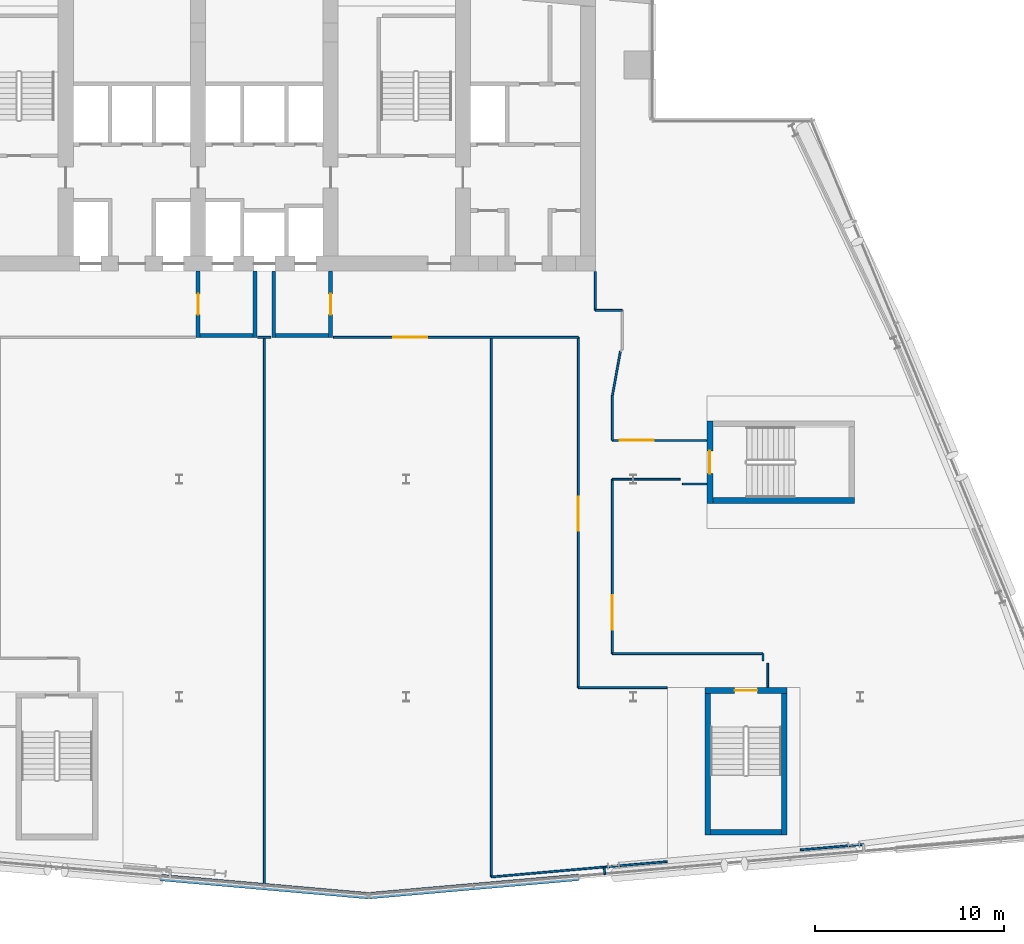
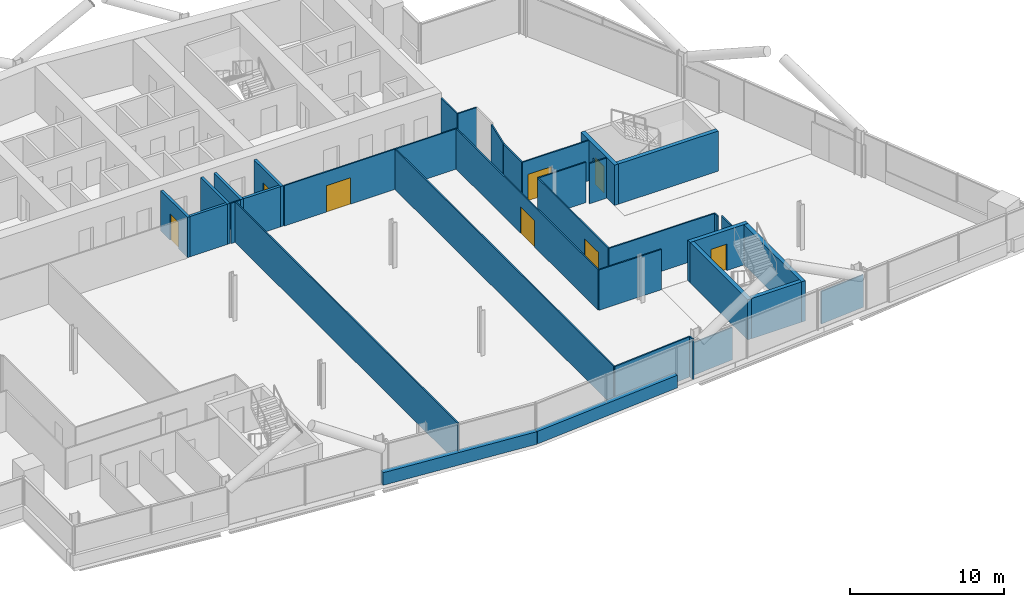
# One storey, part 16 of 26: 35 walls, 8 doors, 8 openings.
"""IFC4 building model written with IfcOpenShell, lengths in metres."""

from ifc_helpers import new_model, si_unit, direction, frame, frame_2d, origin, place, context, subcontext, project, spatial, rectangle, extrude, material, layer, layer_set, type_object, element, fill, save


model = new_model("IFC4")

# Units and contexts
model_context = context("Model", 3, precision=1e-05, world=origin(), true_north=direction((0.0, 1.0)))
body_context = subcontext(model_context, "Body", "Model", "MODEL_VIEW")
ifc_project = project(units=[si_unit("LENGTHUNIT", "METRE"), si_unit("AREAUNIT", "SQUARE_METRE"), si_unit("VOLUMEUNIT", "CUBIC_METRE"), si_unit("PLANEANGLEUNIT", "RADIAN"), si_unit("MASSUNIT", "GRAM", prefix="KILO")], contexts=[model_context])

# Site, building, storey
site_placement = place(None, origin())
site = spatial("IfcSite", under=ifc_project, at=site_placement, CompositionType="ELEMENT")
building_placement = place(site_placement, origin())
building = spatial("IfcBuilding", under=site, at=building_placement, Name="Wharfspan Tower", CompositionType="ELEMENT")
storey_placement = place(building_placement, frame((0.0, 0.0, 184.300049)))
storey = spatial("IfcBuildingStorey", under=building, at=storey_placement, Name="L45", CompositionType="ELEMENT", Elevation=184.300049)

# Walls
ifc_material_1 = material(Name="Gypsum board on steel studs", Category="steel")
ifc_layer_1 = layer(ifc_material_1, 0.100098)
ifc_layer_set_1 = layer_set([ifc_layer_1], Name="Gypsum board on steel studs")
wall_type_1 = type_object("IfcWallType", Name="Compartment wall 100 EI 60", PredefinedType="PARTITIONING", material=ifc_layer_set_1)
wall_1_placement = place(storey_placement, frame((40.5, 1.489258, 0.0), z_axis=(0.0, 0.0, 1.0), x_axis=(0.0, 1.0, 0.0)))
element("IfcWall", 1, at=wall_1_placement, inside=storey, type_object=wall_type_1, Name="Partition L45.w025", PredefinedType="PARTITIONING", context=body_context, shape_type="SweptSolid", body=[
    extrude(rectangle(XDim=29.010742, YDim=0.100098, at=frame_2d((14.505371, 0.0))), origin(), (0.0, 0.0, 1.0), 3.199951),
])
wall_2_placement = place(storey_placement, frame((52.5, 1.97998, 0.0), z_axis=(0.0, 0.0, 1.0), x_axis=(0.0, 1.0, 0.0)))
element("IfcWall", 2, at=wall_2_placement, inside=storey, type_object=wall_type_1, Name="Partition L45.w026", PredefinedType="PARTITIONING", context=body_context, shape_type="SweptSolid", body=[
    extrude(rectangle(XDim=28.52002, YDim=0.100098, at=frame_2d((14.26001, 0.0))), origin(), (0.0, 0.0, 1.0), 3.199951),
])

# Wall, opening, door
wall_3_placement = place(storey_placement, frame((57.100098, 11.985107, 0.0), z_axis=(0.0, 0.0, 1.0), x_axis=(0.0, 1.0, 0.0)))
wall_3 = element("IfcWall", 3, at=wall_3_placement, inside=storey, type_object=wall_type_1, Name="Partition L45.w029", PredefinedType="PARTITIONING", context=body_context, shape_type="SweptSolid", body=[
    extrude(rectangle(XDim=18.514893, YDim=0.100098, at=frame_2d((9.257324, 0.0))), origin(), (0.0, 0.0, 1.0), 3.199951),
])
opening_1_placement = place(wall_3_placement, frame((8.294922, 0.0, 0.0)))
opening_1 = element("IfcOpeningElement", 4, at=opening_1_placement, cuts=wall_3, Name="Opening C4-08", PredefinedType="OPENING", context=body_context, shape_type="SweptSolid", body=[
    extrude(rectangle(XDim=1.800049, YDim=2.100098, at=frame_2d((0.899902, 1.050049))), frame((0.0, 0.060059, 0.0), z_axis=(0.0, -1.0, 0.0), x_axis=(1.0, 0.0, 0.0)), (0.0, 0.0, 1.0), 0.120117),
])
ifc_material_2 = material(Name="Fire-rated timber door leaf in steel frame", Category="steel")
door_type_1 = type_object("IfcDoorType", Name="Door 1800 FD30S Double", OperationType="DOUBLE_DOOR_SINGLE_SWING", PredefinedType="DOOR", material=ifc_material_2)
door_1_placement = place(opening_1_placement, origin())
door_1 = element("IfcDoor", 5, at=door_1_placement, inside=storey, type_object=door_type_1, Name="Door C4-08", OperationType="DOUBLE_DOOR_SINGLE_SWING", OverallHeight=2.100098, OverallWidth=1.800049, PredefinedType="DOOR", context=body_context, shape_type="SweptSolid", body=[
    extrude(rectangle(XDim=1.800049, YDim=2.100098, at=frame_2d((0.899902, 1.050049))), frame((0.0, 0.024902, 0.0), z_axis=(0.0, -1.0, 0.0), x_axis=(1.0, 0.0, 0.0)), (0.0, 0.0, 1.0), 0.050049),
])
fill(opening_1, door_1)

# Walls
wall_4_placement = place(storey_placement, frame((57.100098, 11.985107, 0.0), z_axis=(0.0, 0.0, 1.0), x_axis=(1.0, 0.0, 0.0)))
element("IfcWall", 6, at=wall_4_placement, inside=storey, type_object=wall_type_1, Name="Partition L45.w030", PredefinedType="PARTITIONING", context=body_context, shape_type="SweptSolid", body=[
    extrude(rectangle(XDim=4.691406, YDim=0.100098, at=frame_2d((2.345703, 0.0))), origin(), (0.0, 0.0, 1.0), 3.199951),
])
wall_5_placement = place(storey_placement, frame((58.0, 31.925049, 0.0), z_axis=(0.0, 0.0, 1.0), x_axis=(0.0, 1.0, 0.0)))
element("IfcWall", 7, at=wall_5_placement, inside=storey, type_object=wall_type_1, Name="Partition L45.w031", PredefinedType="PARTITIONING", context=body_context, shape_type="SweptSolid", body=[
    extrude(rectangle(XDim=2.054932, YDim=0.100098, at=frame_2d((1.027344, 0.0))), origin(), (0.0, 0.0, 1.0), 3.199951),
])
wall_6_placement = place(storey_placement, frame((58.0, 31.925049, 0.0), z_axis=(0.0, 0.0, 1.0), x_axis=(1.0, 0.0, 0.0)))
element("IfcWall", 8, at=wall_6_placement, inside=storey, type_object=wall_type_1, Name="Partition L45.w032", PredefinedType="PARTITIONING", context=body_context, shape_type="SweptSolid", body=[
    extrude(rectangle(XDim=1.425049, YDim=0.100098, at=frame_2d((0.712402, 0.0))), origin(), (0.0, 0.0, 1.0), 3.199951),
])

# Wall, opening, door
wall_7_placement = place(storey_placement, frame((58.899902, 13.784912, 0.0), z_axis=(0.0, 0.0, 1.0), x_axis=(0.0, 1.0, 0.0)))
wall_7 = element("IfcWall", 9, at=wall_7_placement, inside=storey, type_object=wall_type_1, Name="Partition L45.w035", PredefinedType="PARTITIONING", context=body_context, shape_type="SweptSolid", body=[
    extrude(rectangle(XDim=9.215088, YDim=0.100098, at=frame_2d((4.607422, 0.0))), origin(), (0.0, 0.0, 1.0), 3.199951),
])
opening_2_placement = place(wall_7_placement, frame((1.27124, 0.0, 0.0)))
opening_2 = element("IfcOpeningElement", 10, at=opening_2_placement, cuts=wall_7, Name="Opening C4-07", PredefinedType="OPENING", context=body_context, shape_type="SweptSolid", body=[
    extrude(rectangle(XDim=1.800049, YDim=2.100098, at=frame_2d((0.899902, 1.050049))), frame((0.0, 0.060059, 0.0), z_axis=(0.0, -1.0, 0.0), x_axis=(1.0, 0.0, 0.0)), (0.0, 0.0, 1.0), 0.120117),
])
door_2_placement = place(opening_2_placement, origin())
door_2 = element("IfcDoor", 11, at=door_2_placement, inside=storey, type_object=door_type_1, Name="Door C4-07", OperationType="DOUBLE_DOOR_SINGLE_SWING", OverallHeight=2.100098, OverallWidth=1.800049, PredefinedType="DOOR", context=body_context, shape_type="SweptSolid", body=[
    extrude(rectangle(XDim=1.800049, YDim=2.100098, at=frame_2d((0.899902, 1.050049))), frame((0.0, 0.024902, 0.0), z_axis=(0.0, -1.0, 0.0), x_axis=(1.0, 0.0, 0.0)), (0.0, 0.0, 1.0), 0.050049),
])
fill(opening_2, door_2)

# Walls
wall_8_placement = place(storey_placement, frame((58.899902, 13.784912, 0.0), z_axis=(0.0, 0.0, 1.0), x_axis=(1.0, 0.0, 0.0)))
element("IfcWall", 12, at=wall_8_placement, inside=storey, type_object=wall_type_1, Name="Partition L45.w036", PredefinedType="PARTITIONING", context=body_context, shape_type="SweptSolid", body=[
    extrude(rectangle(XDim=7.960205, YDim=0.100098, at=frame_2d((3.97998, 0.0))), origin(), (0.0, 0.0, 1.0), 3.199951),
])
wall_9_placement = place(storey_placement, frame((58.899902, 23.0, 0.0), z_axis=(0.0, 0.0, 1.0), x_axis=(1.0, 0.0, 0.0)))
element("IfcWall", 13, at=wall_9_placement, inside=storey, type_object=wall_type_1, Name="Partition L45.w037", PredefinedType="PARTITIONING", context=body_context, shape_type="SweptSolid", body=[
    extrude(rectangle(XDim=3.585205, YDim=0.100098, at=frame_2d((1.79248, 0.0))), origin(), (0.0, 0.0, 1.0), 3.199951),
])
wall_10_placement = place(storey_placement, frame((58.899902, 25.050049, 0.0), z_axis=(0.0, 0.0, 1.0), x_axis=(0.0, 1.0, 0.0)))
element("IfcWall", 14, at=wall_10_placement, inside=storey, type_object=wall_type_1, Name="Partition L45.w038", PredefinedType="PARTITIONING", context=body_context, shape_type="SweptSolid", body=[
    extrude(rectangle(XDim=2.38501, YDim=0.100098, at=frame_2d((1.192383, 0.0))), origin(), (0.0, 0.0, 1.0), 3.199951),
])

# Wall, opening, door
wall_11_placement = place(storey_placement, frame((58.899902, 25.050049, 0.0), z_axis=(0.0, 0.0, 1.0), x_axis=(1.0, 0.0, 0.0)))
wall_11 = element("IfcWall", 15, at=wall_11_placement, inside=storey, type_object=wall_type_1, Name="Partition L45.w039", PredefinedType="PARTITIONING", context=body_context, shape_type="SweptSolid", body=[
    extrude(rectangle(XDim=4.984619, YDim=0.100098, at=frame_2d((2.492188, 0.0))), origin(), (0.0, 0.0, 1.0), 3.199951),
])
opening_3_placement = place(wall_11_placement, frame((0.38501, 0.0, 0.0)))
opening_3 = element("IfcOpeningElement", 16, at=opening_3_placement, cuts=wall_11, Name="Opening C4-09", PredefinedType="OPENING", context=body_context, shape_type="SweptSolid", body=[
    extrude(rectangle(XDim=1.800049, YDim=2.100098, at=frame_2d((0.899902, 1.050049))), frame((0.0, 0.060059, 0.0), z_axis=(0.0, -1.0, 0.0), x_axis=(1.0, 0.0, 0.0)), (0.0, 0.0, 1.0), 0.120117),
])
door_3_placement = place(opening_3_placement, origin())
door_3 = element("IfcDoor", 17, at=door_3_placement, inside=storey, type_object=door_type_1, Name="Door C4-09", OperationType="DOUBLE_DOOR_SINGLE_SWING", OverallHeight=2.100098, OverallWidth=1.800049, PredefinedType="DOOR", context=body_context, shape_type="SweptSolid", body=[
    extrude(rectangle(XDim=1.800049, YDim=2.100098, at=frame_2d((0.899902, 1.050049))), frame((0.0, 0.024902, 0.0), z_axis=(0.0, -1.0, 0.0), x_axis=(1.0, 0.0, 0.0)), (0.0, 0.0, 1.0), 0.050049),
])
fill(opening_3, door_3)

# Walls
wall_12_placement = place(storey_placement, frame((58.899902, 27.435059, 0.0), z_axis=(0.0, 0.0, 1.0), x_axis=(0.178584, 0.983924, 0.0)))
element("IfcWall", 18, at=wall_12_placement, inside=storey, type_object=wall_type_1, Name="Partition L45.w040", PredefinedType="PARTITIONING", context=body_context, shape_type="SweptSolid", body=[
    extrude(rectangle(XDim=2.352783, YDim=0.100098, at=frame_2d((1.17627, 0.0))), origin(), (0.0, 0.0, 1.0), 3.199951),
])
wall_13_placement = place(storey_placement, frame((62.60498, 22.75, 0.0), z_axis=(0.0, 0.0, 1.0), x_axis=(1.0, 0.0, 0.0)))
element("IfcWall", 19, at=wall_13_placement, inside=storey, type_object=wall_type_1, Name="Partition L45.w043", PredefinedType="PARTITIONING", context=body_context, shape_type="SweptSolid", body=[
    extrude(rectangle(XDim=1.279541, YDim=0.100098, at=frame_2d((0.639648, 0.0))), origin(), (0.0, 0.0, 1.0), 3.199951),
])
wall_14_placement = place(storey_placement, frame((66.860107, 13.405029, 0.0), z_axis=(0.0, 0.0, 1.0), x_axis=(0.0, 1.0, 0.0)))
element("IfcWall", 20, at=wall_14_placement, inside=storey, type_object=wall_type_1, Name="Partition L45.w044", PredefinedType="PARTITIONING", context=body_context, shape_type="SweptSolid", body=[
    extrude(rectangle(XDim=0.379883, YDim=0.100098, at=frame_2d((0.189941, 0.0))), origin(), (0.0, 0.0, 1.0), 3.199951),
])
wall_15_placement = place(storey_placement, frame((67.110107, 12.003662, 0.0), z_axis=(0.0, 0.0, 1.0), x_axis=(0.0, 1.0, 0.0)))
element("IfcWall", 21, at=wall_15_placement, inside=storey, type_object=wall_type_1, Name="Partition L45.w045", PredefinedType="PARTITIONING", context=body_context, shape_type="SweptSolid", body=[
    extrude(rectangle(XDim=1.28125, YDim=0.100098, at=frame_2d((0.640625, 0.0))), origin(), (0.0, 0.0, 1.0), 3.199951),
])
wall_16_placement = place(storey_placement, frame((40.149902, 30.5, 0.0), z_axis=(0.0, 0.0, 1.0), x_axis=(1.0, 0.0, 0.0)))
element("IfcWall", 22, at=wall_16_placement, inside=storey, type_object=wall_type_1, Name="Partition L45.w009 (2)", PredefinedType="PARTITIONING", context=body_context, shape_type="SweptSolid", body=[
    extrude(rectangle(XDim=0.700195, YDim=0.100098, at=frame_2d((0.350098, 0.0))), origin(), (0.0, 0.0, 1.0), 3.199951),
])

# Wall, opening, door
wall_17_placement = place(storey_placement, frame((44.149902, 30.5, 0.0), z_axis=(0.0, 0.0, 1.0), x_axis=(1.0, 0.0, 0.0)))
wall_17 = element("IfcWall", 23, at=wall_17_placement, inside=storey, type_object=wall_type_1, Name="Partition L45.w009 (3)", PredefinedType="PARTITIONING", context=body_context, shape_type="SweptSolid", body=[
    extrude(rectangle(XDim=12.950195, YDim=0.100098, at=frame_2d((6.475098, 0.0))), origin(), (0.0, 0.0, 1.0), 3.199951),
])
opening_4_placement = place(wall_17_placement, frame((3.169922, 0.0, 0.0)))
opening_4 = element("IfcOpeningElement", 24, at=opening_4_placement, cuts=wall_17, Name="Opening C4-11", PredefinedType="OPENING", context=body_context, shape_type="SweptSolid", body=[
    extrude(rectangle(XDim=1.800049, YDim=2.100098, at=frame_2d((0.899902, 1.050049))), frame((0.0, 0.060059, 0.0), z_axis=(0.0, -1.0, 0.0), x_axis=(1.0, 0.0, 0.0)), (0.0, 0.0, 1.0), 0.120117),
])
door_4_placement = place(opening_4_placement, origin())
door_4 = element("IfcDoor", 25, at=door_4_placement, inside=storey, type_object=door_type_1, Name="Door C4-11", OperationType="DOUBLE_DOOR_SINGLE_SWING", OverallHeight=2.100098, OverallWidth=1.800049, PredefinedType="DOOR", context=body_context, shape_type="SweptSolid", body=[
    extrude(rectangle(XDim=1.800049, YDim=2.100098, at=frame_2d((0.899902, 1.050049))), frame((0.0, 0.024902, 0.0), z_axis=(0.0, -1.0, 0.0), x_axis=(1.0, 0.0, 0.0)), (0.0, 0.0, 1.0), 0.050049),
])
fill(opening_4, door_4)

ifc_material_3 = material(Name="Concrete C30/37", Category="concrete")
ifc_layer_2 = layer(ifc_material_3, 0.199951)
ifc_layer_set_2 = layer_set([ifc_layer_2], Name="Concrete C30/37")
wall_type_2 = type_object("IfcWallType", Name="Lobby wall 200", PredefinedType="PARTITIONING", material=ifc_layer_set_2)
wall_18_placement = place(storey_placement, frame((37.0, 30.5, 0.0), z_axis=(0.0, 0.0, 1.0), x_axis=(0.0, 1.0, 0.0)))
wall_18 = element("IfcWall", 26, at=wall_18_placement, inside=storey, type_object=wall_type_2, Name="sw:L45:FLFF1W", PredefinedType="PARTITIONING", context=body_context, shape_type="SweptSolid", body=[
    extrude(rectangle(XDim=3.5, YDim=0.199951, at=frame_2d((1.75, 0.0))), origin(), (0.0, 0.0, 1.0), 3.199951),
])
opening_5_placement = place(wall_18_placement, frame((1.199951, 0.0, 0.0)))
opening_5 = element("IfcOpeningElement", 27, at=opening_5_placement, cuts=wall_18, Name="Opening FL.FF1.L45", PredefinedType="OPENING", context=body_context, shape_type="SweptSolid", body=[
    extrude(rectangle(XDim=1.100098, YDim=2.100098, at=frame_2d((0.550049, 1.050049))), frame((0.0, 0.109863, 0.0), z_axis=(0.0, -1.0, 0.0), x_axis=(1.0, 0.0, 0.0)), (0.0, 0.0, 1.0), 0.219971),
])
ifc_material_4 = material(Name="Steel door leaf", Category="steel")
door_type_2 = type_object("IfcDoorType", Name="Firefighting lobby door 1100x2100", OperationType="SINGLE_SWING_LEFT", PredefinedType="DOOR", material=ifc_material_4)
door_5_placement = place(opening_5_placement, origin())
door_5 = element("IfcDoor", 28, at=door_5_placement, inside=storey, type_object=door_type_2, Name="fd:L45:FF1", OperationType="SINGLE_SWING_LEFT", OverallHeight=2.100098, OverallWidth=1.100098, PredefinedType="DOOR", context=body_context, shape_type="SweptSolid", body=[
    extrude(rectangle(XDim=1.100098, YDim=2.100098, at=frame_2d((0.550049, 1.050049))), frame((0.0, 0.024902, 0.0), z_axis=(0.0, -1.0, 0.0), x_axis=(1.0, 0.0, 0.0)), (0.0, 0.0, 1.0), 0.050049),
])
fill(opening_5, door_5)

# Walls
wall_19_placement = place(storey_placement, frame((40.0, 30.5, 0.0), z_axis=(0.0, 0.0, 1.0), x_axis=(0.0, 1.0, 0.0)))
element("IfcWall", 29, at=wall_19_placement, inside=storey, type_object=wall_type_2, Name="sw:L45:FLFF1E", PredefinedType="PARTITIONING", context=body_context, shape_type="SweptSolid", body=[
    extrude(rectangle(XDim=3.5, YDim=0.199951, at=frame_2d((1.75, 0.0))), origin(), (0.0, 0.0, 1.0), 3.199951),
])
wall_20_placement = place(storey_placement, frame((37.100098, 30.600098, 0.0), z_axis=(0.0, 0.0, 1.0), x_axis=(1.0, 0.0, 0.0)))
element("IfcWall", 30, at=wall_20_placement, inside=storey, type_object=wall_type_2, Name="sw:L45:FLFF1F", PredefinedType="PARTITIONING", context=body_context, shape_type="SweptSolid", body=[
    extrude(rectangle(XDim=2.799805, YDim=0.199951, at=frame_2d((1.399902, 0.0))), origin(), (0.0, 0.0, 1.0), 3.199951),
])
wall_21_placement = place(storey_placement, frame((41.0, 30.5, 0.0), z_axis=(0.0, 0.0, 1.0), x_axis=(0.0, 1.0, 0.0)))
element("IfcWall", 31, at=wall_21_placement, inside=storey, type_object=wall_type_2, Name="sw:L45:FLFF2W", PredefinedType="PARTITIONING", context=body_context, shape_type="SweptSolid", body=[
    extrude(rectangle(XDim=3.5, YDim=0.199951, at=frame_2d((1.75, 0.0))), origin(), (0.0, 0.0, 1.0), 3.199951),
])

# Wall, opening, door
wall_22_placement = place(storey_placement, frame((44.0, 30.5, 0.0), z_axis=(0.0, 0.0, 1.0), x_axis=(0.0, 1.0, 0.0)))
wall_22 = element("IfcWall", 32, at=wall_22_placement, inside=storey, type_object=wall_type_2, Name="sw:L45:FLFF2E", PredefinedType="PARTITIONING", context=body_context, shape_type="SweptSolid", body=[
    extrude(rectangle(XDim=3.5, YDim=0.199951, at=frame_2d((1.75, 0.0))), origin(), (0.0, 0.0, 1.0), 3.199951),
])
opening_6_placement = place(wall_22_placement, frame((1.199951, 0.0, 0.0)))
opening_6 = element("IfcOpeningElement", 33, at=opening_6_placement, cuts=wall_22, Name="Opening FL.FF2.L45", PredefinedType="OPENING", context=body_context, shape_type="SweptSolid", body=[
    extrude(rectangle(XDim=1.100098, YDim=2.100098, at=frame_2d((0.550049, 1.050049))), frame((0.0, 0.109863, 0.0), z_axis=(0.0, -1.0, 0.0), x_axis=(1.0, 0.0, 0.0)), (0.0, 0.0, 1.0), 0.219971),
])
door_6_placement = place(opening_6_placement, origin())
door_6 = element("IfcDoor", 34, at=door_6_placement, inside=storey, type_object=door_type_2, Name="fd:L45:FF2", OperationType="SINGLE_SWING_LEFT", OverallHeight=2.100098, OverallWidth=1.100098, PredefinedType="DOOR", context=body_context, shape_type="SweptSolid", body=[
    extrude(rectangle(XDim=1.100098, YDim=2.100098, at=frame_2d((0.550049, 1.050049))), frame((0.0, 0.024902, 0.0), z_axis=(0.0, -1.0, 0.0), x_axis=(1.0, 0.0, 0.0)), (0.0, 0.0, 1.0), 0.050049),
])
fill(opening_6, door_6)

# Walls
wall_23_placement = place(storey_placement, frame((41.100098, 30.600098, 0.0), z_axis=(0.0, 0.0, 1.0), x_axis=(1.0, 0.0, 0.0)))
element("IfcWall", 35, at=wall_23_placement, inside=storey, type_object=wall_type_2, Name="sw:L45:FLFF2F", PredefinedType="PARTITIONING", context=body_context, shape_type="SweptSolid", body=[
    extrude(rectangle(XDim=2.799805, YDim=0.199951, at=frame_2d((1.399902, 0.0))), origin(), (0.0, 0.0, 1.0), 3.199951),
])
ifc_layer_3 = layer(ifc_material_1, 0.100098)
ifc_layer_set_3 = layer_set([ifc_layer_3], Name="Gypsum board on steel studs")
wall_type_3 = type_object("IfcWallType", Name="Partition 100", PredefinedType="PARTITIONING", material=ifc_layer_set_3)
wall_24_placement = place(storey_placement, frame((52.5, 1.975098, 0.0), z_axis=(0.0, 0.0, 1.0), x_axis=(0.99615, 0.087657, 0.0)))
element("IfcWall", 36, at=wall_24_placement, inside=storey, type_object=wall_type_3, Name="Partition L45.w028", PredefinedType="PARTITIONING", context=body_context, shape_type="SweptSolid", body=[
    extrude(rectangle(XDim=5.988037, YDim=0.100098, at=frame_2d((2.994141, 0.0))), origin(), (0.0, 0.0, 1.0), 3.199951),
])
wall_25_placement = place(storey_placement, frame((58.465088, 2.5, 0.0), z_axis=(0.0, 0.0, 1.0), x_axis=(0.996263, 0.086355, 0.0)))
element("IfcWall", 37, at=wall_25_placement, inside=storey, type_object=wall_type_3, Name="Partition L45.w033", PredefinedType="PARTITIONING", context=body_context, shape_type="SweptSolid", body=[
    extrude(rectangle(XDim=3.338867, YDim=0.100098, at=frame_2d((1.669434, 0.0))), origin(), (0.0, 0.0, 1.0), 2.579834),
])
wall_26_placement = place(storey_placement, frame((58.498291, 2.101562, 0.0), z_axis=(0.0, 0.0, 1.0), x_axis=(-0.083045, 0.996542, 0.0)))
element("IfcWall", 38, at=wall_26_placement, inside=storey, type_object=wall_type_3, Name="Partition L45.w034", PredefinedType="PARTITIONING", context=body_context, shape_type="SweptSolid", body=[
    extrude(rectangle(XDim=0.399902, YDim=0.100098, at=frame_2d((0.199951, 0.0))), origin(), (0.0, 0.0, 1.0), 3.199951),
])
wall_27_placement = place(storey_placement, frame((68.831299, 3.406738, 0.0), z_axis=(0.0, 0.0, 1.0), x_axis=(0.996283, 0.086167, 0.0)))
element("IfcWall", 39, at=wall_27_placement, inside=storey, type_object=wall_type_3, Name="Partition L45.w046", PredefinedType="PARTITIONING", context=body_context, shape_type="SweptSolid", body=[
    extrude(rectangle(XDim=3.346191, YDim=0.100098, at=frame_2d((1.673096, 0.0))), origin(), (0.0, 0.0, 1.0), 2.579834),
])
ifc_material_5 = material(Name="Concrete C40/50", Category="concrete")
ifc_layer_4 = layer(ifc_material_5, 0.350098)
ifc_layer_set_4 = layer_set([ifc_layer_4], Name="Concrete C40/50")
wall_type_4 = type_object("IfcWallType", Name="SPANDREL EXPOSED CONCRETE 350", PredefinedType="SOLIDWALL", material=ifc_layer_set_4)
wall_28_placement = place(storey_placement, frame((35.029541, 1.942627, 0.0), z_axis=(0.0, 0.0, 1.0), x_axis=(0.996199, -0.08714, 0.0)))
element("IfcWall", 40, at=wall_28_placement, inside=storey, type_object=wall_type_4, Name="Spandrel upstand L45 S1 2", PredefinedType="SOLIDWALL", context=body_context, shape_type="SweptSolid", body=[
    extrude(rectangle(XDim=11.027588, YDim=0.350098, at=frame_2d((5.513672, 0.0))), origin(), (0.0, 0.0, 1.0), 1.0),
])
wall_29_placement = place(storey_placement, frame((46.04541, 0.986816, 0.0), z_axis=(0.0, 0.0, 1.0), x_axis=(0.996193, 0.087171, 0.0)))
element("IfcWall", 41, at=wall_29_placement, inside=storey, type_object=wall_type_4, Name="Spandrel upstand L45 S2 1", PredefinedType="SOLIDWALL", context=body_context, shape_type="SweptSolid", body=[
    extrude(rectangle(XDim=11.110352, YDim=0.350098, at=frame_2d((5.555176, 0.0))), origin(), (0.0, 0.0, 1.0), 1.0),
])

# Wall, opening, door
ifc_layer_5 = layer(ifc_material_5, 0.300049)
ifc_layer_set_5 = layer_set([ifc_layer_5], Name="Concrete C40/50")
wall_type_5 = type_object("IfcWallType", Name="Stair core wall 300", PredefinedType="SHEAR", material=ifc_layer_set_5)
wall_30_placement = place(storey_placement, frame((63.786377, 11.83374, 0.0), z_axis=(0.0, 0.0, 1.0), x_axis=(1.0, 0.0, 0.0)))
wall_30 = element("IfcWall", 42, at=wall_30_placement, inside=storey, type_object=wall_type_5, Name="ST5 stair enclosure wall L45", PredefinedType="SHEAR", context=body_context, shape_type="SweptSolid", body=[
    extrude(rectangle(XDim=4.350098, YDim=0.300049, at=frame_2d((2.175049, 0.0))), origin(), (0.0, 0.0, 1.0), 3.199951),
])
opening_7_placement = place(wall_30_placement, frame((1.574951, 0.0, 0.0)))
opening_7 = element("IfcOpeningElement", 43, at=opening_7_placement, cuts=wall_30, Name="Opening SD5.L45", PredefinedType="OPENING", context=body_context, shape_type="SweptSolid", body=[
    extrude(rectangle(XDim=1.199951, YDim=2.100098, at=frame_2d((0.600098, 1.050049))), frame((0.0, 0.159912, 0.0), z_axis=(0.0, -1.0, 0.0), x_axis=(1.0, 0.0, 0.0)), (0.0, 0.0, 1.0), 0.320068),
])
door_type_3 = type_object("IfcDoorType", Name="Stair door 1200x2100", OperationType="SINGLE_SWING_LEFT", PredefinedType="DOOR", material=ifc_material_4)
door_7_placement = place(opening_7_placement, origin())
door_7 = element("IfcDoor", 44, at=door_7_placement, inside=storey, type_object=door_type_3, Name="sd:L45:ST5z3", OperationType="SINGLE_SWING_RIGHT", OverallHeight=2.100098, OverallWidth=1.199951, PredefinedType="DOOR", context=body_context, shape_type="SweptSolid", body=[
    extrude(rectangle(XDim=1.199951, YDim=2.100098, at=frame_2d((0.600098, 1.050049))), frame((0.0, 0.024902, 0.0), z_axis=(0.0, -1.0, 0.0), x_axis=(1.0, 0.0, 0.0)), (0.0, 0.0, 1.0), 0.050049),
])
fill(opening_7, door_7)

wall_31_placement = place(storey_placement, frame((64.054688, 21.725098, 0.0), z_axis=(0.0, 0.0, 1.0), x_axis=(0.0, 1.0, 0.0)))
wall_31 = element("IfcWall", 45, at=wall_31_placement, inside=storey, type_object=wall_type_5, Name="ST6 stair enclosure wall L45", PredefinedType="SHEAR", context=body_context, shape_type="SweptSolid", body=[
    extrude(rectangle(XDim=4.349854, YDim=0.300049, at=frame_2d((2.174805, 0.0))), origin(), (0.0, 0.0, 1.0), 3.199951),
])
opening_8_placement = place(wall_31_placement, frame((1.574951, 0.0, 0.0)))
opening_8 = element("IfcOpeningElement", 46, at=opening_8_placement, cuts=wall_31, Name="Opening SD6.L45", PredefinedType="OPENING", context=body_context, shape_type="SweptSolid", body=[
    extrude(rectangle(XDim=1.199951, YDim=2.100098, at=frame_2d((0.600098, 1.050049))), frame((0.0, 0.159912, 0.0), z_axis=(0.0, -1.0, 0.0), x_axis=(1.0, 0.0, 0.0)), (0.0, 0.0, 1.0), 0.320068),
])
door_8_placement = place(opening_8_placement, origin())
door_8 = element("IfcDoor", 47, at=door_8_placement, inside=storey, type_object=door_type_3, Name="sd:L45:ST6z3", OperationType="SINGLE_SWING_RIGHT", OverallHeight=2.100098, OverallWidth=1.199951, PredefinedType="DOOR", context=body_context, shape_type="SweptSolid", body=[
    extrude(rectangle(XDim=1.199951, YDim=2.100098, at=frame_2d((0.600098, 1.050049))), frame((0.0, 0.024902, 0.0), z_axis=(0.0, -1.0, 0.0), x_axis=(1.0, 0.0, 0.0)), (0.0, 0.0, 1.0), 0.050049),
])
fill(opening_8, door_8)

# Walls
for number, where, z_axis, x_axis, name in (
    (48, (63.936279, 4.183594, 0.0), (0.0, 0.0, 1.0), (0.0, 1.0, 0.0), "ST5 stair enclosure wall L45"),
    (49, (67.986328, 4.183594, 0.0), (0.0, 0.0, 1.0), (0.0, 1.0, 0.0), "ST5 stair enclosure wall L45"),
):
    element("IfcWall", number, at=place(storey_placement, frame(where, z_axis=z_axis, x_axis=x_axis)), inside=storey, type_object=wall_type_5, Name=name, PredefinedType="SHEAR", context=body_context, shape_type="SweptSolid", body=[
        extrude(rectangle(XDim=7.5, YDim=0.300049, at=frame_2d((3.75, 0.0))), origin(), (0.0, 0.0, 1.0), 3.199951),
    ])
wall_32_placement = place(storey_placement, frame((64.086426, 4.33374, 0.0), z_axis=(0.0, 0.0, 1.0), x_axis=(1.0, 0.0, 0.0)))
element("IfcWall", 50, at=wall_32_placement, inside=storey, type_object=wall_type_5, Name="ST5 stair enclosure wall L45", PredefinedType="SHEAR", context=body_context, shape_type="SweptSolid", body=[
    extrude(rectangle(XDim=3.75, YDim=0.300049, at=frame_2d((1.875, 0.0))), origin(), (0.0, 0.0, 1.0), 3.199951),
])
wall_33_placement = place(storey_placement, frame((64.20459, 21.875, 0.0), z_axis=(0.0, 0.0, 1.0), x_axis=(1.0, 0.0, 0.0)))
element("IfcWall", 51, at=wall_33_placement, inside=storey, type_object=wall_type_5, Name="ST6 stair enclosure wall L45", PredefinedType="SHEAR", context=body_context, shape_type="SweptSolid", body=[
    extrude(rectangle(XDim=7.5, YDim=0.300049, at=frame_2d((3.75, 0.0))), origin(), (0.0, 0.0, 1.0), 3.199951),
])

save(model, "model.ifc")
